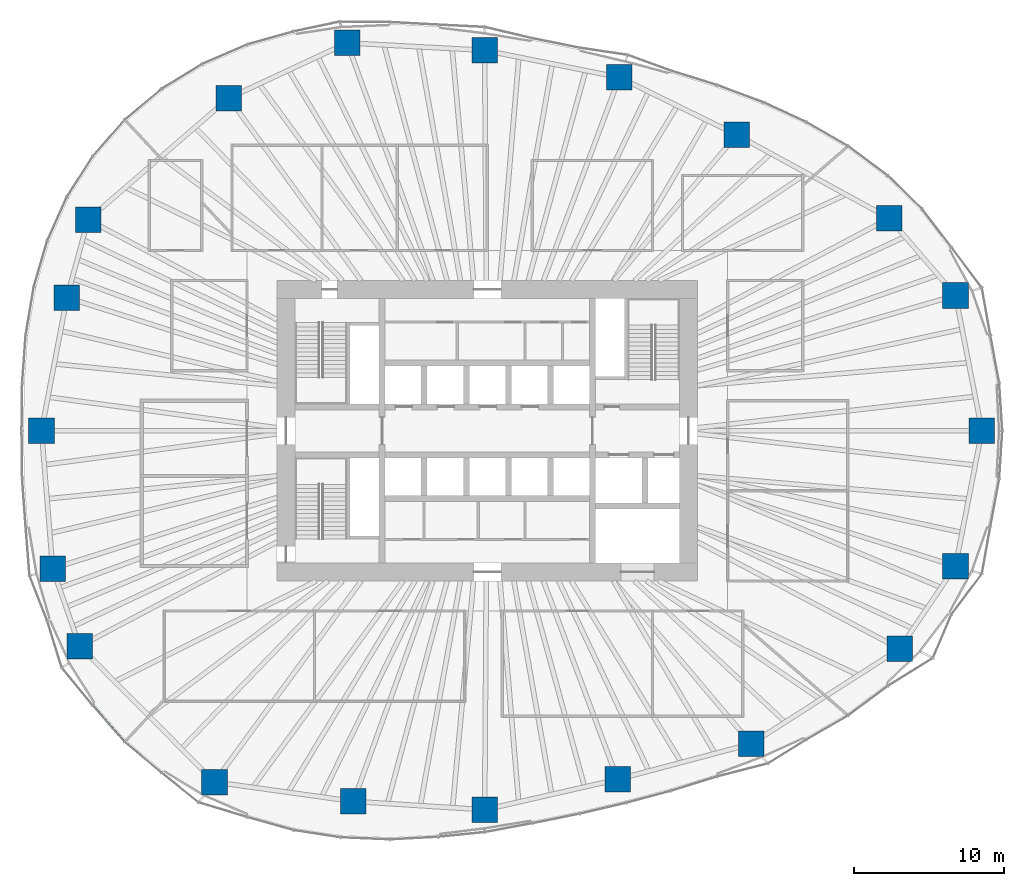
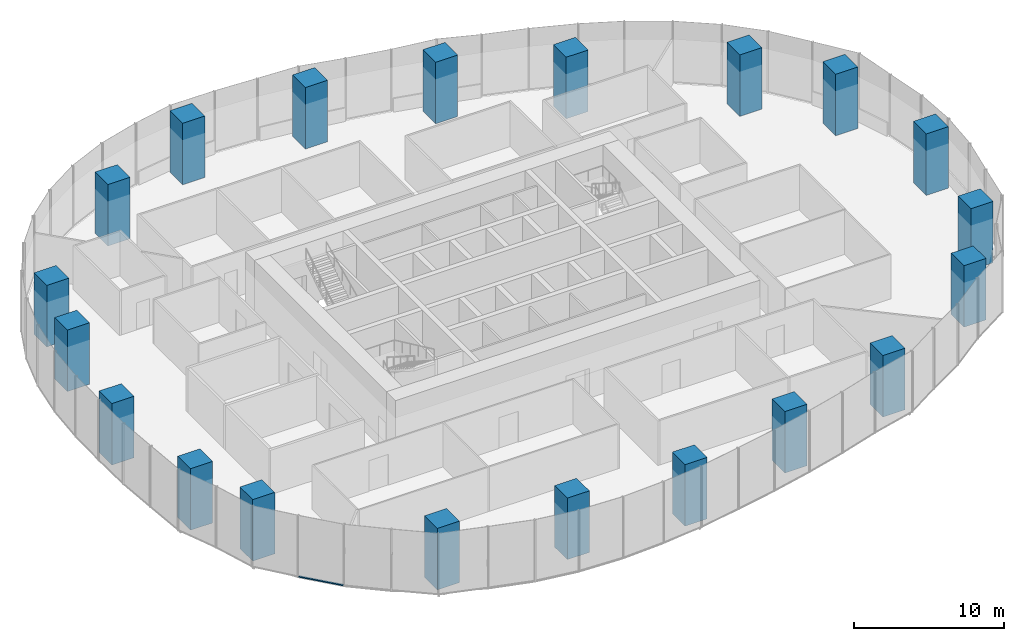
# One storey, part 1 of 20: 20 columns, 1 member, 1 element without a shape of its own.
"""IFC4 building model written with IfcOpenShell, lengths in metres."""

from ifc_helpers import new_model, si_unit, direction, frame, origin, origin_2d, place, context, subcontext, project, spatial, rectangle, extrude, material, material_profile, profile_set, type_object, element, aggregate, save


model = new_model("IFC4")

# Units and contexts
model_context = context("Model", 3, precision=1e-05, world=origin(), true_north=direction((0.0, 1.0)))
body_context = subcontext(model_context, "Body", "Model", "MODEL_VIEW")
ifc_project = project(units=[si_unit("LENGTHUNIT", "METRE"), si_unit("AREAUNIT", "SQUARE_METRE"), si_unit("VOLUMEUNIT", "CUBIC_METRE"), si_unit("PLANEANGLEUNIT", "RADIAN"), si_unit("MASSUNIT", "GRAM", prefix="KILO")], contexts=[model_context])

# Site, building, storey
site_placement = place(None, origin())
site = spatial("IfcSite", under=ifc_project, at=site_placement, CompositionType="ELEMENT")
building_placement = place(site_placement, origin())
building = spatial("IfcBuilding", under=site, at=building_placement, Name="Ghaith Harvest Tower", CompositionType="ELEMENT")
storey_placement = place(building_placement, frame((0.0, 0.0, 80.0)))
storey = spatial("IfcBuildingStorey", under=building, at=storey_placement, Name="L16", CompositionType="ELEMENT", Elevation=80.0)

# Columns
ifc_material_1 = material(Name="Concrete C70/85", Category="concrete")
ifc_material_profile_1 = material_profile(ifc_material_1, rectangle(XDim=1.699951171875, YDim=1.699951171875, at=origin_2d()), Name="RC1700X1700")
ifc_profile_set_1 = profile_set([ifc_material_profile_1], Name="Concrete C70/85")
column_type = type_object("IfcColumnType", Name="TC2 RC1700X1700", PredefinedType="COLUMN", material=ifc_profile_set_1)
for number, where, z_axis, x_axis, name in (
    (1, (32.925048828125, 0.0, 0.0), (0.0, 0.0, 1.0), (1.0, 0.0, 0.0), "Perimeter column C01"),
    (2, (31.166015625, 9.008056640625, 0.0), (0.0, 0.0, 1.0), (1.0, 0.0, 0.0), "Perimeter column C02"),
    (3, (26.763916015625, 14.14697265625, 0.0), (0.0, 0.0, 1.0), (1.0, 0.0, 0.0), "Perimeter column C03"),
    (4, (16.60791015625, 19.695068359375, 0.0), (0.0, 0.0, 1.0), (1.0, 0.0, 0.0), "Perimeter column C04"),
    (5, (8.794921875, 23.527099609375, 0.0), (0.0, 0.0, 1.0), (1.0, 0.0, 0.0), "Perimeter column C05"),
    (6, (-0.173095703125, 25.326904296875, 0.0), (0.0, 0.0, 1.0), (1.0, 0.0, 0.0), "Perimeter column C06"),
    (7, (-9.325927734375, 25.821044921875, 0.0), (0.0, 0.0, 1.0), (1.0, 0.0, 0.0), "Perimeter column C07"),
    (8, (-17.201904296875, 22.14990234375, 0.0), (0.0, 0.0, 1.0), (1.0, 0.0, 0.0), "Perimeter column C08"),
    (9, (-26.572998046875, 14.0458984375, 0.0), (0.0, 0.0, 1.0), (1.0, 0.0, 0.0), "Perimeter column C09"),
    (10, (-27.98291015625, 8.867919921875, 0.0), (0.0, 0.0, 1.0), (1.0, 0.0, 0.0), "Perimeter column C10"),
    (11, (-29.675048828125, 0.0, 0.0), (0.0, 0.0, 1.0), (1.0, 0.0, 0.0), "Perimeter column C11"),
    (12, (-28.929931640625, -9.16796875, 0.0), (0.0, 0.0, 1.0), (1.0, 0.0, 0.0), "Perimeter column C12"),
    (13, (-27.132080078125, -14.341064453125, 0.0), (0.0, 0.0, 1.0), (1.0, 0.0, 0.0), "Perimeter column C13"),
    (14, (-18.157958984375, -23.3798828125, 0.0), (0.0, 0.0, 1.0), (1.0, 0.0, 0.0), "Perimeter column C14"),
    (15, (-8.908935546875, -24.66796875, 0.0), (0.0, 0.0, 1.0), (1.0, 0.0, 0.0), "Perimeter column C15"),
    (16, (-0.173095703125, -25.22412109375, 0.0), (0.0, 0.0, 1.0), (1.0, 0.0, 0.0), "Perimeter column C16"),
    (17, (8.674072265625, -23.202880859375, 0.0), (0.0, 0.0, 1.0), (1.0, 0.0, 0.0), "Perimeter column C17"),
    (18, (17.572021484375, -20.8369140625, 0.0), (0.0, 0.0, 1.0), (1.0, 0.0, 0.0), "Perimeter column C18"),
    (19, (27.448974609375, -14.509033203125, 0.0), (0.0, 0.0, 1.0), (1.0, 0.0, 0.0), "Perimeter column C19"),
    (20, (31.166015625, -9.008056640625, 0.0), (0.0, 0.0, 1.0), (1.0, 0.0, 0.0), "Perimeter column C20"),
):
    element("IfcColumn", number, at=place(storey_placement, frame(where, z_axis=z_axis, x_axis=x_axis)), inside=storey, type_object=column_type, Name=name, PredefinedType="COLUMN", context=body_context, shape_type="SweptSolid", body=[
        extrude(rectangle(XDim=1.699951171875, YDim=1.699951171875, at=origin_2d()), origin(), (0.0, 0.0, 1.0), 5.0),
    ])

# Curtain wall, member
ifc_material_2 = material(Name="Black anodised aluminium and fritted glass", Category="aluminium")
curtain_wall_type = type_object("IfcCurtainWallType", Name="CW-F CURTAIN WALL", PredefinedType="NOTDEFINED", material=ifc_material_2)
curtain_wall_placement = place(storey_placement, origin())
curtain_wall = element("IfcCurtainWall", 21, at=curtain_wall_placement, inside=storey, type_object=curtain_wall_type, Name="Curtain wall CW-F bay 13 L16", PredefinedType="NOTDEFINED")
ifc_material_3 = material(Name="Aluminium, black anodised", Category="aluminium")
ifc_material_profile_2 = material_profile(ifc_material_3, rectangle(XDim=0.139892578125, YDim=0.080078125, at=origin_2d()), Name="CW-F TRANSOM 140x80")
ifc_profile_set_2 = profile_set([ifc_material_profile_2], Name="Aluminium, black anodised")
member_type = type_object("IfcMemberType", Name="CW-F TRANSOM 140x80", PredefinedType="USERDEFINED", material=ifc_profile_set_2)
member_placement = place(storey_placement, frame((-26.23681640625, -18.30419921875, 0.0400390625), z_axis=(0.65923052982, -0.751940894322, 0.0), x_axis=(0.751940894322, 0.65923052982, 0.0)))
member = element("IfcMember", 22, at=member_placement, type_object=member_type, Name="CW-F transom 1 bay 13 L16", ObjectType="TRANSOM", PredefinedType="USERDEFINED", context=body_context, shape_type="SweptSolid", body=[
    extrude(rectangle(XDim=0.139892578125, YDim=0.080078125, at=origin_2d()), origin(), (0.0, 0.0, 1.0), 3.1416015625),
])
aggregate(curtain_wall, [member])

save(model, "model.ifc")
